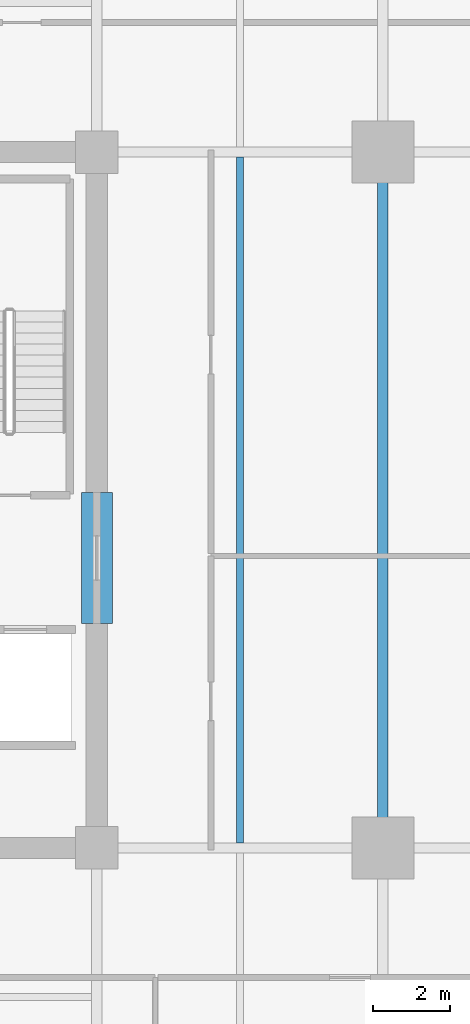
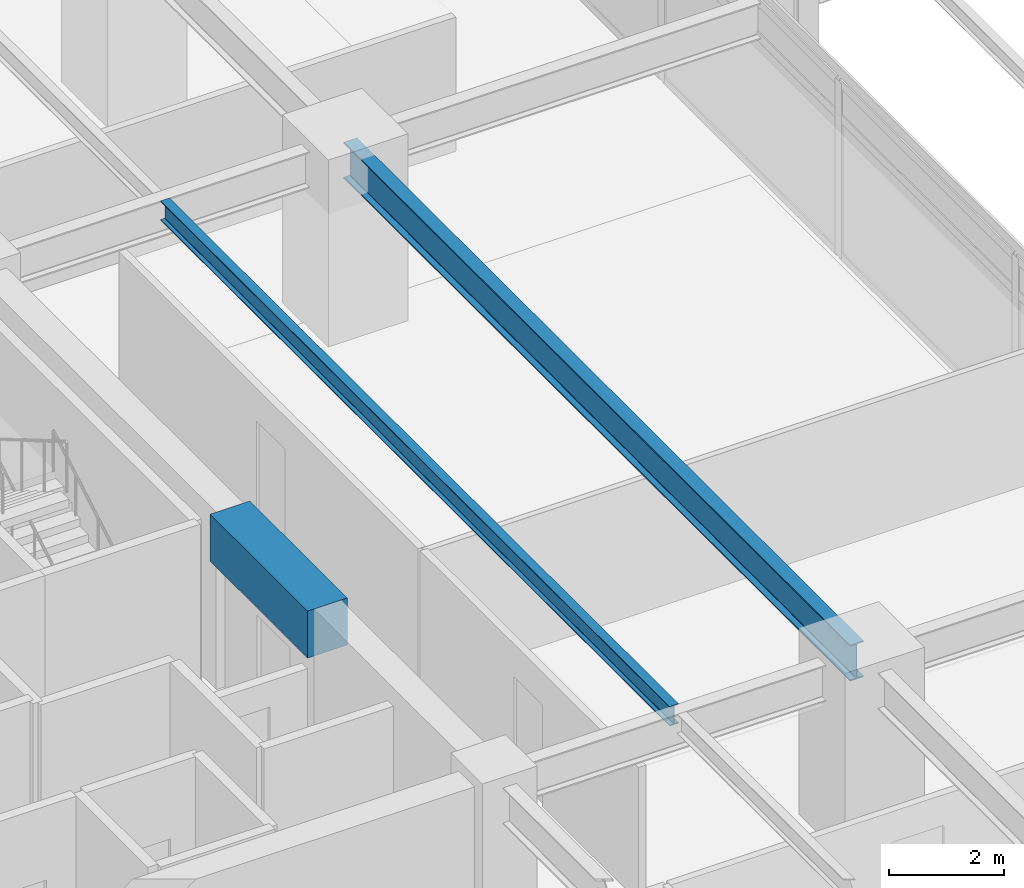
# One storey, part 9 of 23: 3 beams.
"""IFC4 building model written with IfcOpenShell, lengths in metres."""

from ifc_helpers import new_model, si_unit, direction, frame, origin, origin_2d, place, context, subcontext, project, spatial, rectangle, i_section, extrude, material, material_profile, profile_set, type_object, element, save


model = new_model("IFC4")

# Units and contexts
model_context = context("Model", 3, precision=1e-05, world=origin(), true_north=direction((0.0, 1.0)))
body_context = subcontext(model_context, "Body", "Model", "MODEL_VIEW")
ifc_project = project(units=[si_unit("LENGTHUNIT", "METRE"), si_unit("AREAUNIT", "SQUARE_METRE"), si_unit("VOLUMEUNIT", "CUBIC_METRE"), si_unit("PLANEANGLEUNIT", "RADIAN"), si_unit("MASSUNIT", "GRAM", prefix="KILO")], contexts=[model_context])

# Site, building, storey
site_placement = place(None, origin())
site = spatial("IfcSite", under=ifc_project, at=site_placement, CompositionType="ELEMENT")
building_placement = place(site_placement, origin())
building = spatial("IfcBuilding", under=site, at=building_placement, Name="Kovane Verandah Tower", CompositionType="ELEMENT")
storey_placement = place(building_placement, frame((0.0, 0.0, 168.39990234375)))
storey = spatial("IfcBuildingStorey", under=building, at=storey_placement, Name="L39", CompositionType="ELEMENT", Elevation=168.39990234375)

# Beams
ifc_material_1 = material(Name="Concrete C60/75", Category="concrete")
ifc_material_profile_1 = material_profile(ifc_material_1, rectangle(XDim=0.800048828125, YDim=1.0, at=origin_2d()), Name="RCB800x1000")
ifc_profile_set_1 = profile_set([ifc_material_profile_1], Name="Concrete C60/75")
beam_type_1 = type_object("IfcBeamType", Name="BM-LINTEL-800x1000", PredefinedType="LINTEL", material=ifc_profile_set_1)
beam_1_placement = place(storey_placement, frame((51.0, 24.300048828125, 3.275146484375), z_axis=(0.0, 1.0, 0.0), x_axis=(-1.0, 0.0, 0.0)))
element("IfcBeam", 1, at=beam_1_placement, inside=storey, type_object=beam_type_1, Name="L39 Core Coupling Lintel CL-E", PredefinedType="LINTEL", context=body_context, shape_type="SweptSolid", body=[
    extrude(rectangle(XDim=0.800048828125, YDim=1.0, at=origin_2d()), origin(), (0.0, 0.0, 1.0), 3.39990234375),
])
ifc_material_2 = material(Name="Steel S355", Category="steel")
ifc_material_profile_2 = material_profile(ifc_material_2, i_section(OverallWidth=0.26806640625, OverallDepth=0.769775390625, WebThickness=0.015625, FlangeThickness=0.025390625, FilletRadius=0.0166015625, at=origin_2d()), Name="UB762x267x197")
ifc_profile_set_2 = profile_set([ifc_material_profile_2], Name="Steel S355")
beam_type_2 = type_object("IfcBeamType", Name="BM-UB762x197", PredefinedType="BEAM", material=ifc_profile_set_2)
beam_2_placement = place(storey_placement, frame((58.39990234375, 18.679931640625, 3.39013671875), z_axis=(0.0, 1.0, 0.0), x_axis=(-1.0, 0.0, 0.0)))
element("IfcBeam", 2, at=beam_2_placement, inside=storey, type_object=beam_type_2, Name="L39 Primary Tower Girder G-RE2", PredefinedType="BEAM", context=body_context, shape_type="SweptSolid", body=[
    extrude(i_section(OverallWidth=0.26806640625, OverallDepth=0.769775390625, WebThickness=0.015625, FlangeThickness=0.025390625, FilletRadius=0.0166015625, at=origin_2d()), origin(), (0.0, 0.0, 1.0), 17.64013671875),
])
ifc_material_profile_3 = material_profile(ifc_material_2, i_section(OverallWidth=0.179443359375, OverallDepth=0.412841796875, WebThickness=0.009521484375, FlangeThickness=0.01611328125, FilletRadius=0.01025390625, at=origin_2d()), Name="UB406x178x74")
ifc_profile_set_3 = profile_set([ifc_material_profile_3], Name="Steel S355")
beam_type_3 = type_object("IfcBeamType", Name="JST-UB406x74", PredefinedType="JOIST", material=ifc_profile_set_3)
beam_3_placement = place(storey_placement, frame((54.699951171875, 18.632080078125, 3.568603515625), z_axis=(0.0, 1.0, 0.0), x_axis=(-1.0, 0.0, 0.0)))
element("IfcBeam", 3, at=beam_3_placement, inside=storey, type_object=beam_type_3, Name="L39 Secondary Composite Joist J-E1", PredefinedType="JOIST", context=body_context, shape_type="SweptSolid", body=[
    extrude(i_section(OverallWidth=0.179443359375, OverallDepth=0.412841796875, WebThickness=0.009521484375, FlangeThickness=0.01611328125, FilletRadius=0.01025390625, at=origin_2d()), origin(), (0.0, 0.0, 1.0), 17.73583984375),
])

save(model, "model.ifc")
